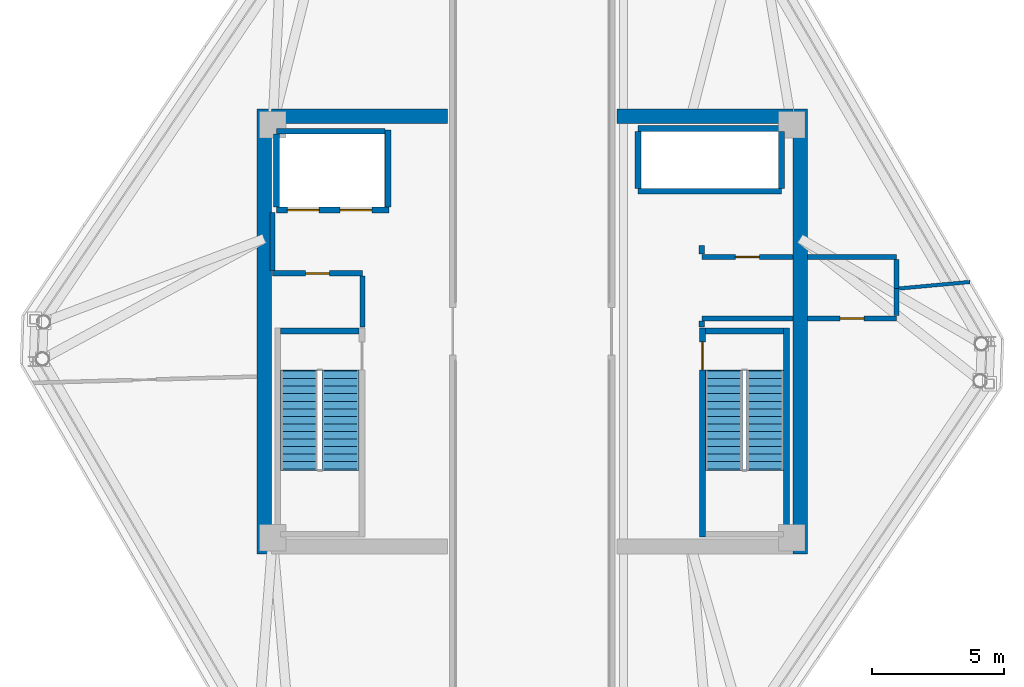
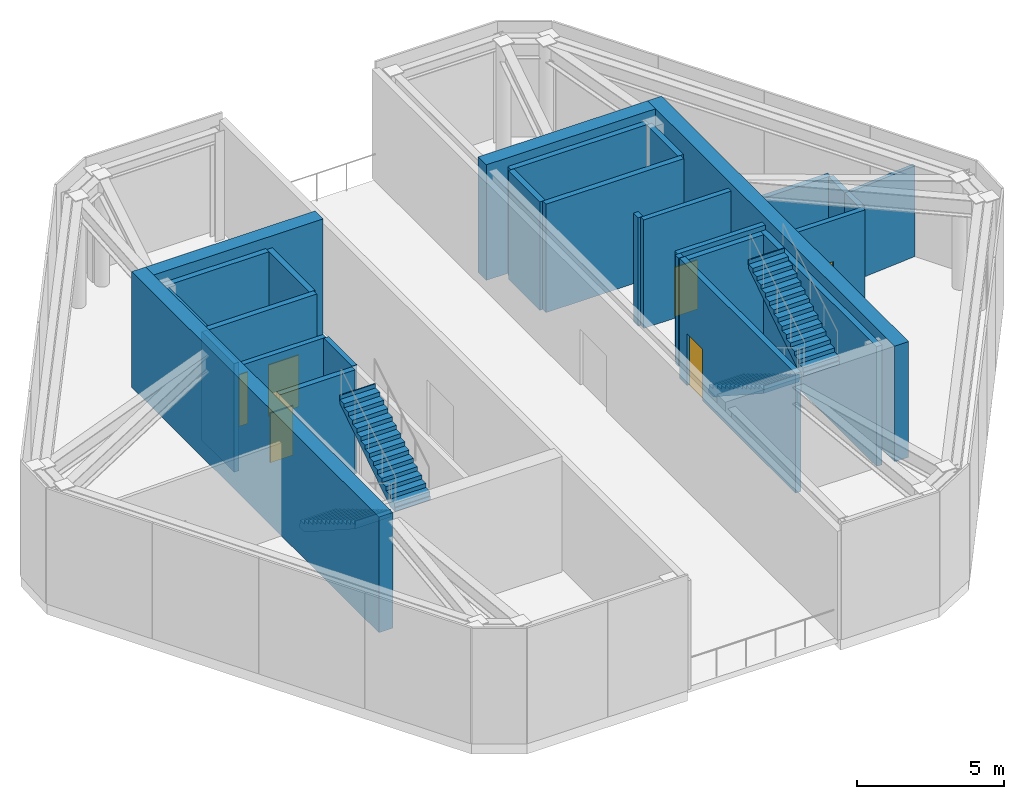
# One storey, part 7 of 8: 28 walls, 6 doors, 4 stair flights, 6 openings, 2 elements without a shape of their own.
"""IFC4 building model written with IfcOpenShell, lengths in metres."""

import ifcopenshell
import ifcopenshell.guid

model = None  # the IFC model being written
_history = None  # IfcOwnerHistory: only IFC2X3 demands one
_inside = {}  # id of a spatial element -> (the spatial element, [elements in it])
_under = {}  # id of a project, library or spatial element -> (it, [spatial elements below it])
_declared = {}  # id of a project -> (the project, [libraries it declares])
_typed = {}  # id of a type object -> (the type object, [elements of that type])
_made_of = {}  # id of a material, layer set ... -> (it, [elements and type objects made of it])


def new_model(schema):
    """Start an empty IFC model of exactly this schema.

    Asked for "IFC4X3", IfcOpenShell would pick the latest addendum, in which some entities
    have other attributes; the version numbers below select the first issue.
    IFC2X3 requires an IfcOwnerHistory on every rooted entity: one is made here for all.
    """
    global model, _history
    if schema == "IFC4X3":
        model = ifcopenshell.file(schema_version=(4, 3, 0, 0))
    else:
        model = ifcopenshell.file(schema=schema)
    _inside.clear()
    _under.clear()
    _declared.clear()
    _typed.clear()
    _made_of.clear()
    _history = None
    if model.schema == "IFC2X3":
        org = make("IfcOrganization", Name="unknown")
        user = make(
            "IfcPersonAndOrganization",
            ThePerson=make("IfcPerson", FamilyName="unknown"),
            TheOrganization=org,
        )
        app = make(
            "IfcApplication",
            ApplicationDeveloper=org,
            Version="unknown",
            ApplicationFullName="unknown",
            ApplicationIdentifier="unknown",
        )
        _history = make(
            "IfcOwnerHistory",
            OwningUser=user,
            OwningApplication=app,
            ChangeAction="ADDED",
            CreationDate=0,
        )
    return model


def make(cls, **values):
    """One entity of the class cls with the attributes given. An attribute that is None is left unset."""
    return model.create_entity(
        cls, **{name: value for name, value in values.items() if value is not None}
    )


def rooted(cls, **values):
    """An entity with a GlobalId (a new one), such as an element, a storey or a relation."""
    return make(cls, GlobalId=ifcopenshell.guid.new(), OwnerHistory=_history, **values)


def si_unit(unit_type, name, prefix=None):
    """IfcSIUnit, for example si_unit("LENGTHUNIT", "METRE", prefix="MILLI")."""
    return make("IfcSIUnit", UnitType=unit_type, Prefix=prefix, Name=name)


def assignment(units):
    """IfcUnitAssignment: the units of a project."""
    return None if units is None else make("IfcUnitAssignment", Units=units)


def point(xyz):
    """IfcCartesianPoint."""
    return None if xyz is None else make("IfcCartesianPoint", Coordinates=xyz)


def direction(xyz):
    """IfcDirection."""
    return None if xyz is None else make("IfcDirection", DirectionRatios=xyz)


def frame(location, z_axis=None, x_axis=None):
    """IfcAxis2Placement3D, a coordinate frame: its origin and axes. An axis left out is left unset."""
    return make(
        "IfcAxis2Placement3D",
        Location=point(location),
        Axis=direction(z_axis),
        RefDirection=direction(x_axis),
    )


def frame_2d(location, x_axis=None):
    """IfcAxis2Placement2D, a coordinate frame in the plane: its origin and x axis."""
    return make(
        "IfcAxis2Placement2D", Location=point(location), RefDirection=direction(x_axis)
    )


def origin():
    """The frame at (0, 0, 0) with its axes left unset."""
    return frame((0.0, 0.0, 0.0))


def place(relative_to, where):
    """IfcLocalPlacement: puts the frame where relative to a parent placement (None: the world)."""
    return make(
        "IfcLocalPlacement", PlacementRelTo=relative_to, RelativePlacement=where
    )


def context(
    kind, dimensions, precision=None, world=None, true_north=None, identifier=None
):
    """IfcGeometricRepresentationContext, for example the 3D "Model" context."""
    return make(
        "IfcGeometricRepresentationContext",
        ContextIdentifier=identifier,
        ContextType=kind,
        CoordinateSpaceDimension=dimensions,
        Precision=precision,
        WorldCoordinateSystem=world,
        TrueNorth=true_north,
    )


def subcontext(parent, identifier, kind, view, scale=None):
    """IfcGeometricRepresentationSubContext, for example "Body" below "Model"."""
    return make(
        "IfcGeometricRepresentationSubContext",
        ContextIdentifier=identifier,
        ContextType=kind,
        ParentContext=parent,
        TargetScale=scale,
        TargetView=view,
    )


def project(units=None, contexts=None):
    """IfcProject with its units and contexts."""
    return rooted(
        "IfcProject",
        Name="project",
        RepresentationContexts=contexts,
        UnitsInContext=assignment(units),
    )


def spatial(cls, under=None, at=None, **own):
    """A site, building, storey or space (cls), placed at a placement, below another one or the project."""
    s = rooted(cls, ObjectPlacement=at, **own)
    if under is not None:
        _under.setdefault(under.id(), (under, []))[1].append(s)
    return s


def polyline(points):
    """IfcPolyline through the points."""
    return make("IfcPolyline", Points=[point(p) for p in points])


def profile(cls, at=None, kind="AREA", **sizes):
    """A parametric profile (cls). Its sizes go by their IFC names, for example OverallWidth=200.0."""
    return make(cls, ProfileType=kind, Position=at, **sizes)


def rectangle(**sizes):
    """IfcRectangleProfileDef."""
    return profile("IfcRectangleProfileDef", **sizes)


def outline(outer, holes=None, kind="AREA"):
    """IfcArbitraryClosedProfileDef: a profile drawn as a closed curve; with holes, ...WithVoids."""
    if holes is None:
        return make("IfcArbitraryClosedProfileDef", ProfileType=kind, OuterCurve=outer)
    return make(
        "IfcArbitraryProfileDefWithVoids",
        ProfileType=kind,
        OuterCurve=outer,
        InnerCurves=holes,
    )


def extrude(swept, where, along, depth):
    """IfcExtrudedAreaSolid: the profile swept, set in the frame where, extruded along a direction by depth."""
    return make(
        "IfcExtrudedAreaSolid",
        SweptArea=swept,
        Position=where,
        ExtrudedDirection=direction(along),
        Depth=depth,
    )


def shape(context_of_items, identifier, shape_type, items):
    """IfcShapeRepresentation: the items that make up one representation, for example the "Body"."""
    return make(
        "IfcShapeRepresentation",
        ContextOfItems=context_of_items,
        RepresentationIdentifier=identifier,
        RepresentationType=shape_type,
        Items=items,
    )


def source(mapping_origin, context_of_items, identifier, shape_type, items):
    """IfcRepresentationMap: a shape defined once, which mapped items show again and again."""
    return make(
        "IfcRepresentationMap",
        MappingOrigin=mapping_origin,
        MappedRepresentation=shape(context_of_items, identifier, shape_type, items),
    )


def transform(
    local_origin,
    x_axis=None,
    y_axis=None,
    z_axis=None,
    scale=None,
    scale2=None,
    scale3=None,
    uniform=True,
):
    """IfcCartesianTransformationOperator3D, or its non-uniform kind. x_axis, y_axis, z_axis: its Axis1, 2, 3."""
    if uniform:
        return make(
            "IfcCartesianTransformationOperator3D",
            Axis1=direction(x_axis),
            Axis2=direction(y_axis),
            LocalOrigin=point(local_origin),
            Scale=scale,
            Axis3=direction(z_axis),
        )
    return make(
        "IfcCartesianTransformationOperator3DnonUniform",
        Axis1=direction(x_axis),
        Axis2=direction(y_axis),
        LocalOrigin=point(local_origin),
        Scale=scale,
        Axis3=direction(z_axis),
        Scale2=scale2,
        Scale3=scale3,
    )


def mapped(mapping_source, mapping_target):
    """IfcMappedItem: shows the shape of a source again, moved by a transform."""
    return make(
        "IfcMappedItem", MappingSource=mapping_source, MappingTarget=mapping_target
    )


def material(Name=None, Category=None):
    """IfcMaterial."""
    return make("IfcMaterial", Name=Name, Category=Category)


def layer(
    of_material, thickness, ventilated=None, Name=None, Category=None, Priority=None
):
    """IfcMaterialLayer: one layer of a wall or slab, of a material (None: an air gap)."""
    return make(
        "IfcMaterialLayer",
        Material=of_material,
        LayerThickness=thickness,
        IsVentilated=ventilated,
        Name=Name,
        Category=Category,
        Priority=Priority,
    )


def layer_set(layers, Name=None):
    """IfcMaterialLayerSet."""
    return make("IfcMaterialLayerSet", MaterialLayers=layers, LayerSetName=Name)


def made_of(thing, what):
    """Note that an element or type object is made of a material, layer set ...; save() writes the relation."""
    if what is not None:
        _made_of.setdefault(what.id(), (what, []))[1].append(thing)
    return thing


def type_object(cls, material=None, **own):
    """A type object (cls), such as IfcWallType, which elements share."""
    return made_of(rooted(cls, **own), material)


def type_shapes(of_type, sources):
    """Give a type object the sources (RepresentationMaps) that its elements show as mapped items."""
    of_type.RepresentationMaps = sources


def element(
    cls,
    number,
    at=None,
    inside=None,
    cuts=None,
    type_object=None,
    material=None,
    context=None,
    identifier="Body",
    shape_type=None,
    held_by="IfcProductDefinitionShape",
    body=None,
    shapes=None,
    **own,
):
    """One element of the class cls, such as IfcWall. Its Tag is "e" and its number.

    at: its placement. inside: the storey or other place that contains it. cuts: it is an
    opening in that element (IfcRelVoidsElement). A single representation is given by context,
    identifier, shape_type and body (its items); several are given by shapes. held_by: the class
    of the entity that holds the representations. save() writes the other relations.
    """
    e = rooted(cls, Tag="e%d" % number, ObjectPlacement=at, **own)
    if body is not None:
        shapes = [shape(context, identifier, shape_type, body)]
    if shapes is not None:
        e.Representation = make(held_by, Representations=shapes)
    if inside is not None:
        _inside.setdefault(inside.id(), (inside, []))[1].append(e)
    if cuts is not None:
        rooted(
            "IfcRelVoidsElement", RelatingBuildingElement=cuts, RelatedOpeningElement=e
        )
    if type_object is not None:
        _typed.setdefault(type_object.id(), (type_object, []))[1].append(e)
    return made_of(e, material)


def fill(opening, filler):
    """IfcRelFillsElement: the door or window that sits in an opening."""
    return rooted(
        "IfcRelFillsElement",
        RelatingOpeningElement=opening,
        RelatedBuildingElement=filler,
    )


def aggregate(whole, parts):
    """IfcRelAggregates: a whole, such as a stair, and the parts it consists of."""
    return rooted("IfcRelAggregates", RelatingObject=whole, RelatedObjects=parts)


def save(model, path):
    """Write the relations noted so far, then the file.

    IfcRelAggregates (storeys below a building ...), IfcRelContainedInSpatialStructure (elements
    in a storey), IfcRelDefinesByType, IfcRelAssociatesMaterial and IfcRelDeclares: one each for
    every whole, place, type object, material and project.
    """
    for whole, parts in _under.values():
        aggregate(whole, parts)
    for where, things in _inside.values():
        rooted(
            "IfcRelContainedInSpatialStructure",
            RelatedElements=things,
            RelatingStructure=where,
        )
    for kind, things in _typed.values():
        rooted("IfcRelDefinesByType", RelatedObjects=things, RelatingType=kind)
    for what, things in _made_of.values():
        rooted("IfcRelAssociatesMaterial", RelatedObjects=things, RelatingMaterial=what)
    for by, libraries in _declared.values():
        rooted("IfcRelDeclares", RelatingContext=by, RelatedDefinitions=libraries)
    model.write(path)


model = new_model("IFC4")

# Units and contexts
model_context = context("Model", 3, precision=1e-05, world=origin(), true_north=direction((0.0, 1.0)))
body_context = subcontext(model_context, "Body", "Model", "MODEL_VIEW")
ifc_project = project(units=[si_unit("LENGTHUNIT", "METRE"), si_unit("AREAUNIT", "SQUARE_METRE"), si_unit("VOLUMEUNIT", "CUBIC_METRE"), si_unit("PLANEANGLEUNIT", "RADIAN"), si_unit("MASSUNIT", "GRAM", prefix="KILO")], contexts=[model_context])

# Site, building, storey
site_placement = place(None, origin())
site = spatial("IfcSite", under=ifc_project, at=site_placement, CompositionType="ELEMENT")
building_placement = place(site_placement, origin())
building = spatial("IfcBuilding", under=site, at=building_placement, Name="Durnholm Broadcast Tower", CompositionType="ELEMENT")
storey_placement = place(building_placement, frame((0.0, 0.0, 272.5)))
storey = spatial("IfcBuildingStorey", under=building, at=storey_placement, Name="L76", CompositionType="ELEMENT", Elevation=272.5)

# Walls
ifc_material_1 = material(Name="Concrete C70/85", Category="concrete")
ifc_layer_1 = layer(ifc_material_1, 0.550048828125)
ifc_layer_set_1 = layer_set([ifc_layer_1], Name="Concrete C70/85")
wall_type_1 = type_object("IfcWallType", Name="WALL-CW-550", PredefinedType="SHEAR", material=ifc_layer_set_1)
for number, where, z_axis, x_axis, name in (
    (1, (-10.125, -8.39990234375, 0.0), (0.0, 0.0, 1.0), (0.0, 1.0, 0.0), "L76 split-crown core shear wall WCW-W"),
    (2, (10.125, -8.39990234375, 0.0), (0.0, 0.0, 1.0), (0.0, 1.0, 0.0), "L76 split-crown core shear wall WCW-E"),
):
    element("IfcWall", number, at=place(storey_placement, frame(where, z_axis=z_axis, x_axis=x_axis)), inside=storey, type_object=wall_type_1, Name=name, PredefinedType="SHEAR", context=body_context, shape_type="SweptSolid", body=[
        extrude(rectangle(XDim=16.7998046875, YDim=0.550048828125, at=frame_2d((8.39990234375, 0.0))), origin(), (0.0, 0.0, 1.0), 4.800048828125),
    ])
for number, where, z_axis, x_axis, name in (
    (3, (-9.85009765625, 8.125, 0.0), (0.0, 0.0, 1.0), (1.0, 0.0, 0.0), "L76 split-crown core shear wall WCW-NW"),
    (4, (3.199951171875, 8.125, 0.0), (0.0, 0.0, 1.0), (1.0, 0.0, 0.0), "L76 split-crown core shear wall WCW-NE"),
):
    element("IfcWall", number, at=place(storey_placement, frame(where, z_axis=z_axis, x_axis=x_axis)), inside=storey, type_object=wall_type_1, Name=name, PredefinedType="SHEAR", context=body_context, shape_type="SweptSolid", body=[
        extrude(rectangle(XDim=6.650146484375, YDim=0.550048828125, at=frame_2d((3.3251953125, 0.0))), origin(), (0.0, 0.0, 1.0), 4.800048828125),
    ])

# Wall, opening, door
ifc_material_2 = material(Name="Fire-Rated Gypsum Shaftwall", Category="concrete")
ifc_layer_2 = layer(ifc_material_2, 0.199951171875)
ifc_layer_set_2 = layer_set([ifc_layer_2], Name="Fire-Rated Gypsum Shaftwall")
wall_type_2 = type_object("IfcWallType", Name="WALL-LOB-200", PredefinedType="SOLIDWALL", material=ifc_layer_set_2)
wall_1_placement = place(storey_placement, frame((-9.81005859375, 2.18994140625, 0.0), z_axis=(0.0, 0.0, 1.0), x_axis=(1.0, 0.0, 0.0)))
wall_1 = element("IfcWall", 5, at=wall_1_placement, inside=storey, type_object=wall_type_2, Name="L76 Crown Chiller and Heat Rejection Plant corridor partition", PredefinedType="SOLIDWALL", context=body_context, shape_type="SweptSolid", body=[
    extrude(rectangle(XDim=3.400146484375, YDim=0.199951171875, at=frame_2d((1.7001953125, 0.0))), origin(), (0.0, 0.0, 1.0), 4.5048828125),
])
opening_1_placement = place(wall_1_placement, frame((1.25, 0.0, 0.0)))
opening_1 = element("IfcOpeningElement", 6, at=opening_1_placement, cuts=wall_1, Name="Opening DC-60L", PredefinedType="OPENING", context=body_context, shape_type="SweptSolid", body=[
    extrude(rectangle(XDim=0.89990234375, YDim=2.050048828125, at=frame_2d((0.449951171875, 1.02490234375))), frame((0.0, 0.10986328125, 0.0), z_axis=(0.0, -1.0, 0.0), x_axis=(1.0, 0.0, 0.0)), (0.0, 0.0, 1.0), 0.219970703125),
])
ifc_material_3 = material(Name="Fire-Rated Core Service Door", Category="steel")
ifc_layer_3 = layer(ifc_material_3, 0.050048828125)
ifc_layer_set_3 = layer_set([ifc_layer_3], Name="Fire-Rated Core Service Door")
door_type_1 = type_object("IfcDoorType", Name="DOOR-CORE-FD60-L", OperationType="NOTDEFINED", PredefinedType="DOOR", material=ifc_layer_set_3)
shared_shape_1 = source(origin(), body_context, "Body", "SweptSolid", [
    extrude(rectangle(XDim=0.89990234375, YDim=2.050048828125, at=frame_2d((0.449951171875, 1.02490234375))), frame((0.0, 0.02490234375, 0.0), z_axis=(0.0, -1.0, 0.0), x_axis=(1.0, 0.0, 0.0)), (0.0, 0.0, 1.0), 0.050048828125),
])
type_shapes(door_type_1, [shared_shape_1])
door_1_placement = place(opening_1_placement, origin())
door_1 = element("IfcDoor", 7, at=door_1_placement, inside=storey, type_object=door_type_1, Name="L76 Crown Chiller and Heat Rejection Plant entrance door", OperationType="SINGLE_SWING_LEFT", OverallHeight=2.050048828125, OverallWidth=0.89990234375, PredefinedType="DOOR", context=body_context, shape_type="MappedRepresentation", body=[
    mapped(shared_shape_1, transform((0.0, 0.0, 0.0), x_axis=(1.0, 0.0, 0.0), y_axis=(0.0, 1.0, 0.0), z_axis=(0.0, 0.0, 1.0), scale=1.0)),
])
fill(opening_1, door_1)

# Walls
wall_2_placement = place(storey_placement, frame((-9.81005859375, 4.489990234375, 0.0), z_axis=(0.0, 0.0, 1.0), x_axis=(0.0, -1.0, 0.0)))
element("IfcWall", 8, at=wall_2_placement, inside=storey, type_object=wall_type_2, Name="L76 Crown Chiller and Heat Rejection Plant corridor partition", PredefinedType="SOLIDWALL", context=body_context, shape_type="SweptSolid", body=[
    extrude(rectangle(XDim=2.196044921875, YDim=0.199951171875, at=frame_2d((1.09814453125, 0.0))), origin(), (0.0, 0.0, 1.0), 4.5048828125),
])
wall_3_placement = place(storey_placement, frame((-6.409912109375, 2.0859375, 0.0), z_axis=(0.0, 0.0, 1.0), x_axis=(0.0, -1.0, 0.0)))
element("IfcWall", 9, at=wall_3_placement, inside=storey, type_object=wall_type_2, Name="L76 Crown Chiller and Heat Rejection Plant corridor partition", PredefinedType="SOLIDWALL", context=body_context, shape_type="SweptSolid", body=[
    extrude(rectangle(XDim=1.926025390625, YDim=0.199951171875, at=frame_2d((0.962890625, 0.0))), origin(), (0.0, 0.0, 1.0), 4.5048828125),
])
wall_4_placement = place(storey_placement, frame((13.760009765625, 2.81005859375, 0.0), z_axis=(0.0, 0.0, 1.0), x_axis=(-1.0, 0.0, 0.0)))
element("IfcWall", 10, at=wall_4_placement, inside=storey, type_object=wall_type_2, Name="L76 Crown Electrical Switchgear Plant corridor partition", PredefinedType="SOLIDWALL", context=body_context, shape_type="SweptSolid", body=[
    extrude(rectangle(XDim=3.35498046875, YDim=0.199951171875, at=frame_2d((1.677490234375, 0.0))), origin(), (0.0, 0.0, 1.0), 3.76123046875),
])

# Wall, opening, door
wall_5_placement = place(storey_placement, frame((9.844970703125, 2.81005859375, 0.0), z_axis=(0.0, 0.0, 1.0), x_axis=(-1.0, 0.0, 0.0)))
wall_5 = element("IfcWall", 11, at=wall_5_placement, inside=storey, type_object=wall_type_2, Name="L76 Crown Electrical Switchgear Plant corridor partition", PredefinedType="SOLIDWALL", context=body_context, shape_type="SweptSolid", body=[
    extrude(rectangle(XDim=3.43505859375, YDim=0.199951171875, at=frame_2d((1.717529296875, 0.0))), origin(), (0.0, 0.0, 1.0), 4.5048828125),
])
opening_2_placement = place(wall_5_placement, frame((1.267578125, 0.0, 0.0)))
opening_2 = element("IfcOpeningElement", 12, at=opening_2_placement, cuts=wall_5, Name="Opening DC-60R", PredefinedType="OPENING", context=body_context, shape_type="SweptSolid", body=[
    extrude(rectangle(XDim=0.89990234375, YDim=2.050048828125, at=frame_2d((0.449951171875, 1.02490234375))), frame((0.0, 0.10986328125, 0.0), z_axis=(0.0, -1.0, 0.0), x_axis=(1.0, 0.0, 0.0)), (0.0, 0.0, 1.0), 0.219970703125),
])
ifc_layer_4 = layer(ifc_material_3, 0.050048828125)
ifc_layer_set_4 = layer_set([ifc_layer_4], Name="Fire-Rated Core Service Door")
door_type_2 = type_object("IfcDoorType", Name="DOOR-CORE-FD60-R", OperationType="NOTDEFINED", PredefinedType="DOOR", material=ifc_layer_set_4)
shared_shape_2 = source(origin(), body_context, "Body", "SweptSolid", [
    extrude(rectangle(XDim=0.89990234375, YDim=2.050048828125, at=frame_2d((0.449951171875, 1.02490234375))), frame((0.0, 0.02490234375, 0.0), z_axis=(0.0, -1.0, 0.0), x_axis=(1.0, 0.0, 0.0)), (0.0, 0.0, 1.0), 0.050048828125),
])
type_shapes(door_type_2, [shared_shape_2])
door_2_placement = place(opening_2_placement, origin())
door_2 = element("IfcDoor", 13, at=door_2_placement, inside=storey, type_object=door_type_2, Name="L76 Crown Electrical Switchgear Plant entrance door", OperationType="SINGLE_SWING_RIGHT", OverallHeight=2.050048828125, OverallWidth=0.89990234375, PredefinedType="DOOR", context=body_context, shape_type="MappedRepresentation", body=[
    mapped(shared_shape_2, transform((0.0, 0.0, 0.0), x_axis=(1.0, 0.0, 0.0), y_axis=(0.0, 1.0, 0.0), z_axis=(0.0, 0.0, 1.0), scale=1.0)),
])
fill(opening_2, door_2)

# Walls
wall_6_placement = place(storey_placement, frame((13.760009765625, 1.610107421875, 0.0), z_axis=(0.0, 0.0, 1.0), x_axis=(0.0, 1.0, 0.0)))
element("IfcWall", 14, at=wall_6_placement, inside=storey, type_object=wall_type_2, Name="L76 Crown Electrical Switchgear Plant corridor partition", PredefinedType="SOLIDWALL", context=body_context, shape_type="SweptSolid", body=[
    extrude(rectangle(XDim=1.095947265625, YDim=0.199951171875, at=frame_2d((0.5478515625, 0.0))), origin(), (0.0, 0.0, 1.0), 3.76123046875),
])
wall_7_placement = place(storey_placement, frame((6.409912109375, 2.9140625, 0.0), z_axis=(0.0, 0.0, 1.0), x_axis=(0.0, 1.0, 0.0)))
element("IfcWall", 15, at=wall_7_placement, inside=storey, type_object=wall_type_2, Name="L76 Crown Electrical Switchgear Plant corridor partition", PredefinedType="SOLIDWALL", context=body_context, shape_type="SweptSolid", body=[
    extrude(rectangle(XDim=0.325927734375, YDim=0.199951171875, at=frame_2d((0.1630859375, 0.0))), origin(), (0.0, 0.0, 1.0), 4.5048828125),
])
wall_8_placement = place(storey_placement, frame((6.409912109375, 0.489990234375, 0.0), z_axis=(0.0, 0.0, 1.0), x_axis=(1.0, 0.0, 0.0)))
element("IfcWall", 16, at=wall_8_placement, inside=storey, type_object=wall_type_2, Name="L76 Crown Telecom Cooling Plant corridor partition", PredefinedType="SOLIDWALL", context=body_context, shape_type="SweptSolid", body=[
    extrude(rectangle(XDim=3.43505859375, YDim=0.199951171875, at=frame_2d((1.717529296875, 0.0))), origin(), (0.0, 0.0, 1.0), 4.5048828125),
])

# Wall, opening, door
wall_9_placement = place(storey_placement, frame((10.405029296875, 0.489990234375, 0.0), z_axis=(0.0, 0.0, 1.0), x_axis=(1.0, 0.0, 0.0)))
wall_9 = element("IfcWall", 17, at=wall_9_placement, inside=storey, type_object=wall_type_2, Name="L76 Crown Telecom Cooling Plant corridor partition", PredefinedType="SOLIDWALL", context=body_context, shape_type="SweptSolid", body=[
    extrude(rectangle(XDim=3.35498046875, YDim=0.199951171875, at=frame_2d((1.677490234375, 0.0))), origin(), (0.0, 0.0, 1.0), 3.76123046875),
])
opening_3_placement = place(wall_9_placement, frame((1.2275390625, 0.0, 0.0)))
opening_3 = element("IfcOpeningElement", 18, at=opening_3_placement, cuts=wall_9, Name="Opening DC-60R", PredefinedType="OPENING", context=body_context, shape_type="SweptSolid", body=[
    extrude(rectangle(XDim=0.89990234375, YDim=2.050048828125, at=frame_2d((0.449951171875, 1.02490234375))), frame((0.0, 0.10986328125, 0.0), z_axis=(0.0, -1.0, 0.0), x_axis=(1.0, 0.0, 0.0)), (0.0, 0.0, 1.0), 0.219970703125),
])
door_3_placement = place(opening_3_placement, origin())
door_3 = element("IfcDoor", 19, at=door_3_placement, inside=storey, type_object=door_type_2, Name="L76 Crown Telecom Cooling Plant entrance door", OperationType="SINGLE_SWING_RIGHT", OverallHeight=2.050048828125, OverallWidth=0.89990234375, PredefinedType="DOOR", context=body_context, shape_type="MappedRepresentation", body=[
    mapped(shared_shape_2, transform((0.0, 0.0, 0.0), x_axis=(1.0, 0.0, 0.0), y_axis=(0.0, 1.0, 0.0), z_axis=(0.0, 0.0, 1.0), scale=1.0)),
])
fill(opening_3, door_3)

# Walls
wall_10_placement = place(storey_placement, frame((13.760009765625, 0.593994140625, 0.0), z_axis=(0.0, 0.0, 1.0), x_axis=(0.0, 1.0, 0.0)))
element("IfcWall", 20, at=wall_10_placement, inside=storey, type_object=wall_type_2, Name="L76 Crown Telecom Cooling Plant corridor partition", PredefinedType="SOLIDWALL", context=body_context, shape_type="SweptSolid", body=[
    extrude(rectangle(XDim=1.01611328125, YDim=0.199951171875, at=frame_2d((0.508056640625, 0.0))), origin(), (0.0, 0.0, 1.0), 3.76123046875),
])
wall_11_placement = place(storey_placement, frame((6.409912109375, 0.159912109375, 0.0), z_axis=(0.0, 0.0, 1.0), x_axis=(0.0, 1.0, 0.0)))
element("IfcWall", 21, at=wall_11_placement, inside=storey, type_object=wall_type_2, Name="L76 Crown Telecom Cooling Plant corridor partition", PredefinedType="SOLIDWALL", context=body_context, shape_type="SweptSolid", body=[
    extrude(rectangle(XDim=0.22607421875, YDim=0.199951171875, at=frame_2d((0.113037109375, 0.0))), origin(), (0.0, 0.0, 1.0), 4.5048828125),
])
ifc_material_4 = material(Name="Gypsum Metal Stud Partition", Category="concrete")
ifc_layer_5 = layer(ifc_material_4, 0.135009765625)
ifc_layer_set_5 = layer_set([ifc_layer_5], Name="Gypsum Metal Stud Partition")
wall_type_3 = type_object("IfcWallType", Name="WALL-PART-135", PredefinedType="PARTITIONING", material=ifc_layer_set_5)
wall_12_placement = place(storey_placement, frame((16.535888671875, 1.865966796875, 0.0), z_axis=(0.0, 0.0, 1.0), x_axis=(-0.995776794664, -0.091807272096, 0.0)))
element("IfcWall", 22, at=wall_12_placement, inside=storey, type_object=wall_type_3, Name="L76 room dividing partition 3.4", PredefinedType="PARTITIONING", context=body_context, shape_type="SweptSolid", body=[
    extrude(rectangle(XDim=2.68310546875, YDim=0.135009765625, at=frame_2d((1.341552734375, 0.0))), origin(), (0.0, 0.0, 1.0), 3.76123046875),
])

# Wall, openings, doors
ifc_material_5 = material(Name="Concrete Blockwork C30/37", Category="masonry")
ifc_layer_6 = layer(ifc_material_5, 0.219970703125)
ifc_layer_set_6 = layer_set([ifc_layer_6], Name="Concrete Blockwork C30/37")
wall_type_4 = type_object("IfcWallType", Name="WALL-SHAFT-220", PredefinedType="SOLIDWALL", material=ifc_layer_set_6)
wall_13_placement = place(storey_placement, frame((-9.659912109375, 4.580078125, 0.0), z_axis=(0.0, 0.0, 1.0), x_axis=(1.0, 0.0, 0.0)))
wall_13 = element("IfcWall", 23, at=wall_13_placement, inside=storey, type_object=wall_type_4, Name="L76 crown FSAE hoistway front wall", PredefinedType="SOLIDWALL", context=body_context, shape_type="SweptSolid", body=[
    extrude(rectangle(XDim=4.260009765625, YDim=0.219970703125, at=frame_2d((2.1298828125, 0.0))), origin(), (0.0, 0.0, 1.0), 4.5048828125),
])
opening_4_placement = place(wall_13_placement, frame((0.409912109375, 0.0, 0.0)))
opening_4 = element("IfcOpeningElement", 24, at=opening_4_placement, cuts=wall_13, Name="Opening LD-FSAE-2", PredefinedType="OPENING", context=body_context, shape_type="SweptSolid", body=[
    extrude(rectangle(XDim=1.199951171875, YDim=2.14990234375, at=frame_2d((0.60009765625, 1.074951171875))), frame((0.0, 0.1201171875, 0.0), z_axis=(0.0, -1.0, 0.0), x_axis=(1.0, 0.0, 0.0)), (0.0, 0.0, 1.0), 0.239990234375),
])
opening_5_placement = place(wall_13_placement, frame((2.409912109375, 0.0, 0.0)))
opening_5 = element("IfcOpeningElement", 25, at=opening_5_placement, cuts=wall_13, Name="Opening LD-FSAE-1", PredefinedType="OPENING", context=body_context, shape_type="SweptSolid", body=[
    extrude(rectangle(XDim=1.199951171875, YDim=2.14990234375, at=frame_2d((0.60009765625, 1.074951171875))), frame((0.0, 0.1201171875, 0.0), z_axis=(0.0, -1.0, 0.0), x_axis=(1.0, 0.0, 0.0)), (0.0, 0.0, 1.0), 0.239990234375),
])
ifc_material_6 = material(Name="Fire Service Access Sliding Landing Door", Category="steel")
ifc_layer_7 = layer(ifc_material_6, 0.050048828125)
ifc_layer_set_7 = layer_set([ifc_layer_7], Name="Fire Service Access Sliding Landing Door")
door_type_3 = type_object("IfcDoorType", Name="DOOR-LIFT-FSAE", OperationType="DOUBLE_DOOR_SLIDING", PredefinedType="DOOR", material=ifc_layer_set_7)
shared_shape_3 = source(origin(), body_context, "Body", "SweptSolid", [
    extrude(rectangle(XDim=1.199951171875, YDim=2.14990234375, at=frame_2d((0.60009765625, 1.074951171875))), frame((0.0, 0.02490234375, 0.0), z_axis=(0.0, -1.0, 0.0), x_axis=(1.0, 0.0, 0.0)), (0.0, 0.0, 1.0), 0.050048828125),
])
type_shapes(door_type_3, [shared_shape_3])
door_4_placement = place(opening_4_placement, origin())
door_4 = element("IfcDoor", 26, at=door_4_placement, inside=storey, type_object=door_type_3, Name="L76 crown Fire Service Access Elevator FSAE-2 sliding landing door", OperationType="DOUBLE_DOOR_SLIDING", OverallHeight=2.14990234375, OverallWidth=1.199951171875, PredefinedType="DOOR", context=body_context, shape_type="MappedRepresentation", body=[
    mapped(shared_shape_3, transform((0.0, 0.0, 0.0), x_axis=(1.0, 0.0, 0.0), y_axis=(0.0, 1.0, 0.0), z_axis=(0.0, 0.0, 1.0), scale=1.0)),
])
fill(opening_4, door_4)
door_5_placement = place(opening_5_placement, origin())
door_5 = element("IfcDoor", 27, at=door_5_placement, inside=storey, type_object=door_type_3, Name="L76 crown Fire Service Access Elevator FSAE-1 sliding landing door", OperationType="DOUBLE_DOOR_SLIDING", OverallHeight=2.14990234375, OverallWidth=1.199951171875, PredefinedType="DOOR", context=body_context, shape_type="MappedRepresentation", body=[
    mapped(shared_shape_3, transform((0.0, 0.0, 0.0), x_axis=(1.0, 0.0, 0.0), y_axis=(0.0, 1.0, 0.0), z_axis=(0.0, 0.0, 1.0), scale=1.0)),
])
fill(opening_5, door_5)

# Walls
wall_14_placement = place(storey_placement, frame((-5.449951171875, 4.694091796875, 0.0), z_axis=(0.0, 0.0, 1.0), x_axis=(0.0, 1.0, 0.0)))
element("IfcWall", 28, at=wall_14_placement, inside=storey, type_object=wall_type_4, Name="L76 crown FSAE east shaft wall", PredefinedType="SOLIDWALL", context=body_context, shape_type="SweptSolid", body=[
    extrude(rectangle(XDim=2.906005859375, YDim=0.219970703125, at=frame_2d((1.453125, 0.0))), origin(), (0.0, 0.0, 1.0), 4.5048828125),
])
wall_15_placement = place(storey_placement, frame((-9.659912109375, 7.56005859375, 0.0), z_axis=(0.0, 0.0, 1.0), x_axis=(1.0, 0.0, 0.0)))
element("IfcWall", 29, at=wall_15_placement, inside=storey, type_object=wall_type_4, Name="L76 crown FSAE north shaft wall", PredefinedType="SOLIDWALL", context=body_context, shape_type="SweptSolid", body=[
    extrude(rectangle(XDim=4.095947265625, YDim=0.219970703125, at=frame_2d((2.0478515625, 0.0))), origin(), (0.0, 0.0, 1.0), 4.5048828125),
])
wall_16_placement = place(storey_placement, frame((-9.659912109375, 4.694091796875, 0.0), z_axis=(0.0, 0.0, 1.0), x_axis=(0.0, 1.0, 0.0)))
element("IfcWall", 30, at=wall_16_placement, inside=storey, type_object=wall_type_4, Name="L76 crown FSAE west shaft wall", PredefinedType="SOLIDWALL", context=body_context, shape_type="SweptSolid", body=[
    extrude(rectangle(XDim=2.751953125, YDim=0.219970703125, at=frame_2d((1.3759765625, 0.0))), origin(), (0.0, 0.0, 1.0), 4.5048828125),
])
for number, where, z_axis, x_axis, name in (
    (31, (4.0, 5.2900390625, 0.0), (0.0, 0.0, 1.0), (1.0, 0.0, 0.0), "L76 high-rise bank P3 overrun south shaft wall"),
    (32, (4.0, 7.659912109375, 0.0), (0.0, 0.0, 1.0), (1.0, 0.0, 0.0), "L76 high-rise bank P3 overrun north shaft wall"),
):
    element("IfcWall", number, at=place(storey_placement, frame(where, z_axis=z_axis, x_axis=x_axis)), inside=storey, type_object=wall_type_4, Name=name, PredefinedType="SOLIDWALL", context=body_context, shape_type="SweptSolid", body=[
        extrude(rectangle(XDim=5.419921875, YDim=0.219970703125, at=frame_2d((2.7099609375, 0.0))), origin(), (0.0, 0.0, 1.0), 4.5048828125),
    ])
for number, where, z_axis, x_axis, name in (
    (33, (4.0, 5.404052734375, 0.0), (0.0, 0.0, 1.0), (0.0, 1.0, 0.0), "L76 high-rise bank P3 overrun west shaft wall"),
    (34, (9.419921875, 5.404052734375, 0.0), (0.0, 0.0, 1.0), (0.0, 1.0, 0.0), "L76 high-rise bank P3 overrun east shaft wall"),
):
    element("IfcWall", number, at=place(storey_placement, frame(where, z_axis=z_axis, x_axis=x_axis)), inside=storey, type_object=wall_type_4, Name=name, PredefinedType="SOLIDWALL", context=body_context, shape_type="SweptSolid", body=[
        extrude(rectangle(XDim=2.141845703125, YDim=0.219970703125, at=frame_2d((1.07080078125, 0.0))), origin(), (0.0, 0.0, 1.0), 4.5048828125),
    ])
ifc_material_7 = material(Name="Concrete C50/60", Category="concrete")
ifc_layer_8 = layer(ifc_material_7, 0.219970703125)
ifc_layer_set_8 = layer_set([ifc_layer_8], Name="Concrete C50/60")
wall_type_5 = type_object("IfcWallType", Name="WALL-SW-220", PredefinedType="SHEAR", material=ifc_layer_set_8)
wall_17_placement = place(storey_placement, frame((-6.5400390625, 0.010009765625, -0.449951171875), z_axis=(0.0, 0.0, 1.0), x_axis=(-1.0, 0.0, 0.0)))
element("IfcWall", 35, at=wall_17_placement, inside=storey, type_object=wall_type_5, Name="L76 stair ST-1 structural shaft wall N", PredefinedType="SHEAR", context=body_context, shape_type="SweptSolid", body=[
    extrude(rectangle(XDim=2.9599609375, YDim=0.219970703125, at=frame_2d((1.47998046875, 0.0))), origin(), (0.0, 0.0, 1.0), 4.969970703125),
])
wall_18_placement = place(storey_placement, frame((9.610107421875, -7.77001953125, -0.449951171875), z_axis=(0.0, 0.0, 1.0), x_axis=(0.0, 1.0, 0.0)))
element("IfcWall", 36, at=wall_18_placement, inside=storey, type_object=wall_type_5, Name="L76 stair ST-2 structural shaft wall E", PredefinedType="SHEAR", context=body_context, shape_type="SweptSolid", body=[
    extrude(rectangle(XDim=7.89013671875, YDim=0.219970703125, at=frame_2d((3.945068359375, 0.0))), origin(), (0.0, 0.0, 1.0), 4.969970703125),
])

# Wall, opening, door
wall_19_placement = place(storey_placement, frame((6.429931640625, 0.1201171875, -0.449951171875), z_axis=(0.0, 0.0, 1.0), x_axis=(0.0, -1.0, 0.0)))
wall_19 = element("IfcWall", 37, at=wall_19_placement, inside=storey, type_object=wall_type_5, Name="L76 stair ST-2 structural shaft wall W", PredefinedType="SHEAR", context=body_context, shape_type="SweptSolid", body=[
    extrude(rectangle(XDim=7.89013671875, YDim=0.219970703125, at=frame_2d((3.945068359375, 0.0))), origin(), (0.0, 0.0, 1.0), 4.969970703125),
])
opening_6_placement = place(wall_19_placement, frame((0.52001953125, 0.0, 0.0)))
opening_6 = element("IfcOpeningElement", 38, at=opening_6_placement, cuts=wall_19, Name="Opening DS-90R", PredefinedType="OPENING", context=body_context, shape_type="SweptSolid", body=[
    extrude(rectangle(XDim=1.050048828125, YDim=2.14990234375, at=frame_2d((0.52490234375, 1.074951171875))), frame((0.0, 0.1201171875, 0.0), z_axis=(0.0, -1.0, 0.0), x_axis=(1.0, 0.0, 0.0)), (0.0, 0.0, 1.0), 0.239990234375),
])
ifc_material_8 = material(Name="Fire-Rated Steel Door", Category="steel")
ifc_layer_9 = layer(ifc_material_8, 0.050048828125)
ifc_layer_set_9 = layer_set([ifc_layer_9], Name="Fire-Rated Steel Door")
door_type_4 = type_object("IfcDoorType", Name="DOOR-ST-FD90-R", OperationType="NOTDEFINED", PredefinedType="DOOR", material=ifc_layer_set_9)
shared_shape_4 = source(origin(), body_context, "Body", "SweptSolid", [
    extrude(rectangle(XDim=1.050048828125, YDim=2.14990234375, at=frame_2d((0.52490234375, 1.074951171875))), frame((0.0, 0.02490234375, 0.0), z_axis=(0.0, -1.0, 0.0), x_axis=(1.0, 0.0, 0.0)), (0.0, 0.0, 1.0), 0.050048828125),
])
type_shapes(door_type_4, [shared_shape_4])
door_6_placement = place(opening_6_placement, origin())
door_6 = element("IfcDoor", 39, at=door_6_placement, inside=storey, type_object=door_type_4, Name="L76 exit stair ST-2 fire door", OperationType="SINGLE_SWING_RIGHT", OverallHeight=2.14990234375, OverallWidth=1.050048828125, PredefinedType="DOOR", context=body_context, shape_type="MappedRepresentation", body=[
    mapped(shared_shape_4, transform((0.0, 0.0, 0.0), x_axis=(1.0, 0.0, 0.0), y_axis=(0.0, 1.0, 0.0), z_axis=(0.0, 0.0, 1.0), scale=1.0)),
])
fill(opening_6, door_6)

# Wall
wall_20_placement = place(storey_placement, frame((9.5, 0.010009765625, -0.449951171875), z_axis=(0.0, 0.0, 1.0), x_axis=(-1.0, 0.0, 0.0)))
element("IfcWall", 40, at=wall_20_placement, inside=storey, type_object=wall_type_5, Name="L76 stair ST-2 structural shaft wall N", PredefinedType="SHEAR", context=body_context, shape_type="SweptSolid", body=[
    extrude(rectangle(XDim=2.9599609375, YDim=0.219970703125, at=frame_2d((1.47998046875, 0.0))), origin(), (0.0, 0.0, 1.0), 4.969970703125),
])

# Stair, stair flights
stair_type = type_object("IfcStairType", Name="STAIR-DL-28R1714", PredefinedType="HALF_TURN_STAIR", material=ifc_material_7)
stair_1_placement = place(storey_placement, origin())
stair_1 = element("IfcStair", 41, at=stair_1_placement, inside=storey, type_object=stair_type, Name="L76 ST-1", PredefinedType="HALF_TURN_STAIR")
stair_flight_type = type_object("IfcStairFlightType", Name="FLIGHT-DL-28R1714", PredefinedType="STRAIGHT", material=ifc_material_7)
stair_flight_1_placement = place(storey_placement, frame((-8.800048828125, -1.5, 0.0), z_axis=(0.0, 0.0, 1.0), x_axis=(0.0, -1.0, 0.0)))
stair_flight_1 = element("IfcStairFlight", 42, at=stair_flight_1_placement, type_object=stair_flight_type, Name="ST-1 flight 1", NumberOfRisers=14, NumberOfTreads=13, PredefinedType="STRAIGHT", RiserHeight=0.171428571, TreadLength=0.285, context=body_context, shape_type="SweptSolid", body=[
    extrude(outline(polyline([(-0.0400390625, -0.14990234375), (-0.0400390625, 0.0), (0.0, 0.0), (0.0, 0.17138671875), (0.284912109375, 0.17138671875), (0.284912109375, 0.3427734375), (0.570068359375, 0.3427734375), (0.570068359375, 0.514404296875), (0.85498046875, 0.514404296875), (0.85498046875, 0.685791015625), (1.139892578125, 0.685791015625), (1.139892578125, 0.857177734375), (1.425048828125, 0.857177734375), (1.425048828125, 1.028564453125), (1.7099609375, 1.028564453125), (1.7099609375, 1.199951171875), (1.9951171875, 1.199951171875), (1.9951171875, 1.371337890625), (2.280029296875, 1.371337890625), (2.280029296875, 1.54296875), (2.56494140625, 1.54296875), (2.56494140625, 1.71435546875), (2.85009765625, 1.71435546875), (2.85009765625, 1.8857421875), (3.135009765625, 1.8857421875), (3.135009765625, 2.05712890625), (3.419921875, 2.05712890625), (3.419921875, 2.228515625), (3.705078125, 2.228515625), (3.705078125, 2.39990234375), (3.7451171875, 2.39990234375), (3.7451171875, 2.25), (3.705078125, 2.0537109375), (0.290771484375, -0.14990234375), (-0.0400390625, -0.14990234375)])), frame((0.0, 0.699951171875, 0.0), z_axis=(0.0, -1.0, 0.0), x_axis=(1.0, 0.0, 0.0)), (0.0, 0.0, 1.0), 1.39990234375),
])
stair_flight_2_placement = place(storey_placement, frame((-7.239990234375, -5.205078125, 2.39990234375), z_axis=(0.0, 0.0, 1.0), x_axis=(0.0, 1.0, 0.0)))
stair_flight_2 = element("IfcStairFlight", 43, at=stair_flight_2_placement, type_object=stair_flight_type, Name="ST-1 flight 2", NumberOfRisers=14, NumberOfTreads=13, PredefinedType="STRAIGHT", RiserHeight=0.171428571, TreadLength=0.285, context=body_context, shape_type="SweptSolid", body=[
    extrude(outline(polyline([(-0.0400390625, -0.14990234375), (-0.0400390625, 0.0), (0.0, 0.0), (0.0, 0.17138671875), (0.284912109375, 0.17138671875), (0.284912109375, 0.3427734375), (0.570068359375, 0.3427734375), (0.570068359375, 0.514404296875), (0.85498046875, 0.514404296875), (0.85498046875, 0.685791015625), (1.139892578125, 0.685791015625), (1.139892578125, 0.857177734375), (1.425048828125, 0.857177734375), (1.425048828125, 1.028564453125), (1.7099609375, 1.028564453125), (1.7099609375, 1.199951171875), (1.9951171875, 1.199951171875), (1.9951171875, 1.371337890625), (2.280029296875, 1.371337890625), (2.280029296875, 1.54296875), (2.56494140625, 1.54296875), (2.56494140625, 1.71435546875), (2.85009765625, 1.71435546875), (2.85009765625, 1.8857421875), (3.135009765625, 1.8857421875), (3.135009765625, 2.05712890625), (3.419921875, 2.05712890625), (3.419921875, 2.228515625), (3.705078125, 2.228515625), (3.705078125, 2.39990234375), (3.7451171875, 2.39990234375), (3.7451171875, 2.25), (3.705078125, 2.0537109375), (0.290771484375, -0.14990234375), (-0.0400390625, -0.14990234375)])), frame((0.0, 0.699951171875, 0.0), z_axis=(0.0, -1.0, 0.0), x_axis=(1.0, 0.0, 0.0)), (0.0, 0.0, 1.0), 1.39990234375),
])
aggregate(stair_1, [stair_flight_1, stair_flight_2])

stair_2_placement = place(storey_placement, origin())
stair_2 = element("IfcStair", 44, at=stair_2_placement, inside=storey, type_object=stair_type, Name="L76 ST-2", PredefinedType="HALF_TURN_STAIR")
stair_flight_3_placement = place(storey_placement, frame((7.239990234375, -1.5, 0.0), z_axis=(0.0, 0.0, 1.0), x_axis=(0.0, -1.0, 0.0)))
stair_flight_3 = element("IfcStairFlight", 45, at=stair_flight_3_placement, type_object=stair_flight_type, Name="ST-2 flight 1", NumberOfRisers=14, NumberOfTreads=13, PredefinedType="STRAIGHT", RiserHeight=0.171428571, TreadLength=0.285, context=body_context, shape_type="SweptSolid", body=[
    extrude(outline(polyline([(-0.0400390625, -0.14990234375), (-0.0400390625, 0.0), (0.0, 0.0), (0.0, 0.17138671875), (0.284912109375, 0.17138671875), (0.284912109375, 0.3427734375), (0.570068359375, 0.3427734375), (0.570068359375, 0.514404296875), (0.85498046875, 0.514404296875), (0.85498046875, 0.685791015625), (1.139892578125, 0.685791015625), (1.139892578125, 0.857177734375), (1.425048828125, 0.857177734375), (1.425048828125, 1.028564453125), (1.7099609375, 1.028564453125), (1.7099609375, 1.199951171875), (1.9951171875, 1.199951171875), (1.9951171875, 1.371337890625), (2.280029296875, 1.371337890625), (2.280029296875, 1.54296875), (2.56494140625, 1.54296875), (2.56494140625, 1.71435546875), (2.85009765625, 1.71435546875), (2.85009765625, 1.8857421875), (3.135009765625, 1.8857421875), (3.135009765625, 2.05712890625), (3.419921875, 2.05712890625), (3.419921875, 2.228515625), (3.705078125, 2.228515625), (3.705078125, 2.39990234375), (3.7451171875, 2.39990234375), (3.7451171875, 2.25), (3.705078125, 2.0537109375), (0.290771484375, -0.14990234375), (-0.0400390625, -0.14990234375)])), frame((0.0, 0.699951171875, 0.0), z_axis=(0.0, -1.0, 0.0), x_axis=(1.0, 0.0, 0.0)), (0.0, 0.0, 1.0), 1.39990234375),
])
stair_flight_4_placement = place(storey_placement, frame((8.800048828125, -5.205078125, 2.39990234375), z_axis=(0.0, 0.0, 1.0), x_axis=(0.0, 1.0, 0.0)))
stair_flight_4 = element("IfcStairFlight", 46, at=stair_flight_4_placement, type_object=stair_flight_type, Name="ST-2 flight 2", NumberOfRisers=14, NumberOfTreads=13, PredefinedType="STRAIGHT", RiserHeight=0.171428571, TreadLength=0.285, context=body_context, shape_type="SweptSolid", body=[
    extrude(outline(polyline([(-0.0400390625, -0.14990234375), (-0.0400390625, 0.0), (0.0, 0.0), (0.0, 0.17138671875), (0.284912109375, 0.17138671875), (0.284912109375, 0.3427734375), (0.570068359375, 0.3427734375), (0.570068359375, 0.514404296875), (0.85498046875, 0.514404296875), (0.85498046875, 0.685791015625), (1.139892578125, 0.685791015625), (1.139892578125, 0.857177734375), (1.425048828125, 0.857177734375), (1.425048828125, 1.028564453125), (1.7099609375, 1.028564453125), (1.7099609375, 1.199951171875), (1.9951171875, 1.199951171875), (1.9951171875, 1.371337890625), (2.280029296875, 1.371337890625), (2.280029296875, 1.54296875), (2.56494140625, 1.54296875), (2.56494140625, 1.71435546875), (2.85009765625, 1.71435546875), (2.85009765625, 1.8857421875), (3.135009765625, 1.8857421875), (3.135009765625, 2.05712890625), (3.419921875, 2.05712890625), (3.419921875, 2.228515625), (3.705078125, 2.228515625), (3.705078125, 2.39990234375), (3.7451171875, 2.39990234375), (3.7451171875, 2.25), (3.705078125, 2.0537109375), (0.290771484375, -0.14990234375), (-0.0400390625, -0.14990234375)])), frame((0.0, 0.699951171875, 0.0), z_axis=(0.0, -1.0, 0.0), x_axis=(1.0, 0.0, 0.0)), (0.0, 0.0, 1.0), 1.39990234375),
])
aggregate(stair_2, [stair_flight_3, stair_flight_4])

save(model, "model.ifc")
